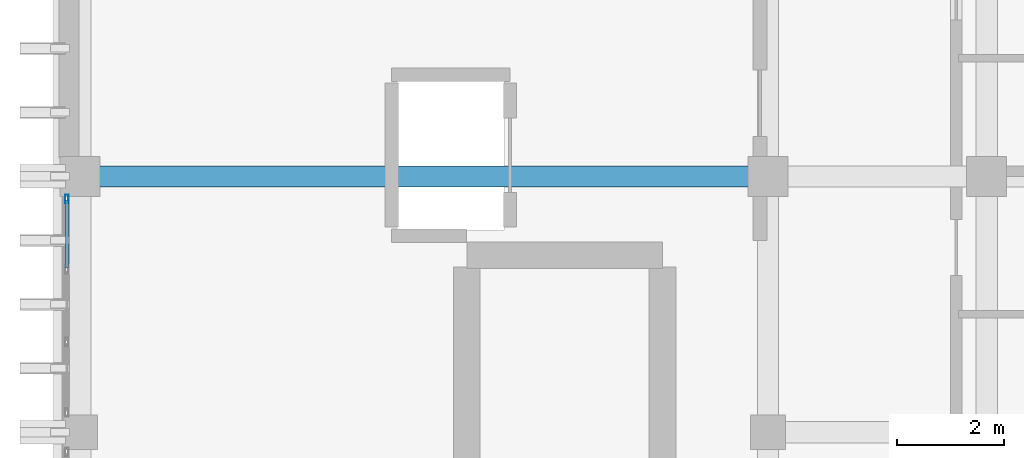
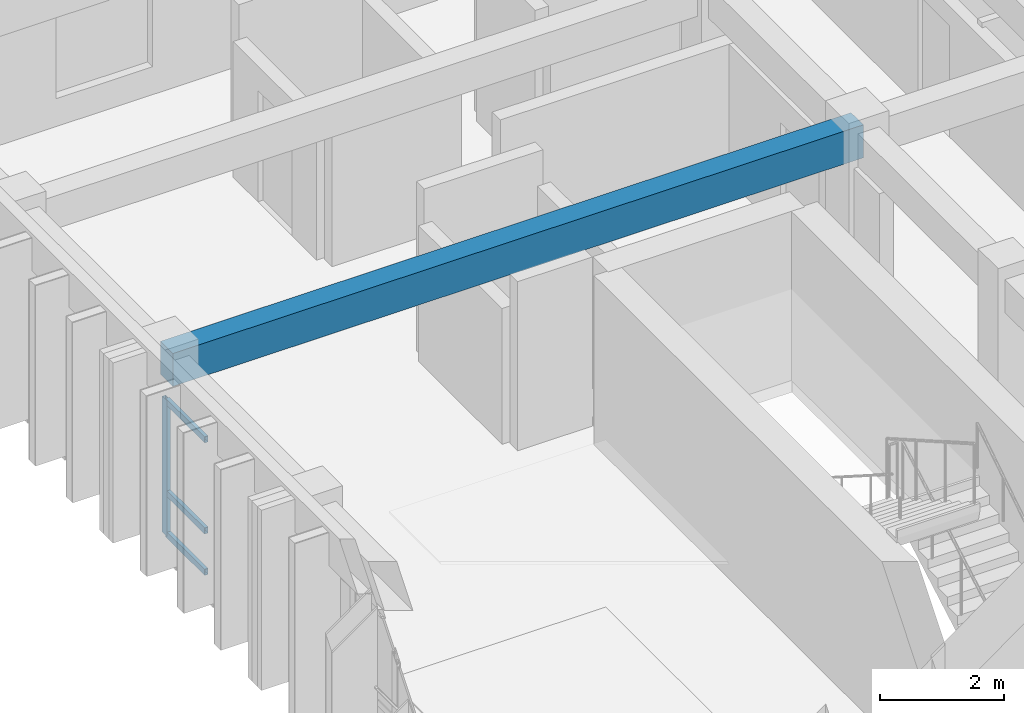
# One storey, part 41 of 64: 4 members, 1 beam, 1 element without a shape of its own.
"""IFC4 building model written with IfcOpenShell, lengths in metres."""

from ifc_helpers import new_model, si_unit, direction, frame, origin, origin_2d, place, context, subcontext, project, spatial, rectangle, hollow_rectangle, extrude, material, layer, layer_set, material_profile, profile_set, type_object, element, aggregate, save


model = new_model("IFC4")

# Units and contexts
model_context = context("Model", 3, precision=1e-05, world=origin(), true_north=direction((0.0, 1.0)))
body_context = subcontext(model_context, "Body", "Model", "MODEL_VIEW")
ifc_project = project(units=[si_unit("LENGTHUNIT", "METRE"), si_unit("AREAUNIT", "SQUARE_METRE"), si_unit("VOLUMEUNIT", "CUBIC_METRE"), si_unit("PLANEANGLEUNIT", "RADIAN"), si_unit("MASSUNIT", "GRAM", prefix="KILO")], contexts=[model_context])

# Site, building, storey
site_placement = place(None, origin())
site = spatial("IfcSite", under=ifc_project, at=site_placement, CompositionType="ELEMENT")
building_placement = place(site_placement, origin())
building = spatial("IfcBuilding", under=site, at=building_placement, Name="Nakhvara Creek Congress Hotel", CompositionType="ELEMENT")
storey_placement = place(building_placement, frame((0.0, 0.0, 28.199951171875)))
storey = spatial("IfcBuildingStorey", under=building, at=storey_placement, Name="L06", CompositionType="ELEMENT", Elevation=28.199951171875)

# Beam
ifc_material_1 = material(Name="Concrete C40/50", Category="concrete")
ifc_material_profile_1 = material_profile(ifc_material_1, rectangle(XDim=0.39990234375, YDim=0.64990234375, at=origin_2d()), Name="RC-BM 400x650", Category="LoadBearing")
ifc_profile_set_1 = profile_set([ifc_material_profile_1], Name="Concrete C40/50")
beam_type = type_object("IfcBeamType", Name="BM-RC-400X650", PredefinedType="BEAM", material=ifc_profile_set_1)
beam_placement = place(storey_placement, frame((149.449951171875, 115.199951171875, 3.01513671875), z_axis=(1.0, 0.0, 0.0), x_axis=(0.0, 1.0, 0.0)))
element("IfcBeam", 1, at=beam_placement, inside=storey, type_object=beam_type, Name="Beam B06-L06-2214", PredefinedType="BEAM", context=body_context, shape_type="SweptSolid", body=[
    extrude(rectangle(XDim=0.39990234375, YDim=0.64990234375, at=origin_2d()), origin(), (0.0, 0.0, 1.0), 12.900146484375),
])

# Curtain wall, members
ifc_material_2 = material(Name="Bronze-anodised aluminium AW-6063-T6 and double-silver low-E glass", Category="aluminium")
ifc_layer = layer(ifc_material_2, 0.199951171875)
ifc_layer_set = layer_set([ifc_layer], Name="Bronze-anodised aluminium AW-6063-T6 and double-silver low-E glass")
curtain_wall_type = type_object("IfcCurtainWallType", Name="CW-HTL-UNIT", PredefinedType="USERDEFINED", material=ifc_layer_set)
curtain_wall_placement = place(storey_placement, origin())
curtain_wall = element("IfcCurtainWall", 2, at=curtain_wall_placement, inside=storey, type_object=curtain_wall_type, Name="Curtain Wall CW250", ObjectType="UNITISED", PredefinedType="USERDEFINED")
ifc_material_3 = material(Name="Bronze-anodised aluminium AW-6063-T6", Category="aluminium")
ifc_material_profile_2 = material_profile(ifc_material_3, hollow_rectangle(XDim=0.06494140625, YDim=0.159912109375, WallThickness=0.00390625, at=origin_2d()), Name="ALU-MULL 65x160x4", Category="LoadBearing")
ifc_profile_set_2 = profile_set([ifc_material_profile_2], Name="Bronze-anodised aluminium AW-6063-T6")
member_type_1 = type_object("IfcMemberType", Name="CW-MULL-160", PredefinedType="MULLION", material=ifc_profile_set_2)
member_1_placement = place(storey_placement, frame((149.199951171875, 114.777587890625, 0.0), z_axis=(0.0, 0.0, 1.0), x_axis=(-1.0, 0.0, 0.0)))
member_1 = element("IfcMember", 3, at=member_1_placement, type_object=member_type_1, Name="CW250 mullion 4", PredefinedType="MULLION", context=body_context, shape_type="SweptSolid", body=[
    extrude(hollow_rectangle(XDim=0.06494140625, YDim=0.159912109375, WallThickness=0.00390625, at=origin_2d()), origin(), (0.0, 0.0, 1.0), 2.68212890625),
])
ifc_material_profile_3 = material_profile(ifc_material_3, hollow_rectangle(XDim=0.06494140625, YDim=0.1201171875, WallThickness=0.00390625, at=origin_2d()), Name="ALU-TRAN 65x120x4", Category="LoadBearing")
ifc_profile_set_3 = profile_set([ifc_material_profile_3], Name="Bronze-anodised aluminium AW-6063-T6")
member_type_2 = type_object("IfcMemberType", Name="CW-TRAN-120", PredefinedType="USERDEFINED", material=ifc_profile_set_3)
member_2_placement = place(storey_placement, frame((149.199951171875, 113.48583984375, 0.032470703125), z_axis=(0.0, 1.0, 0.0), x_axis=(-1.0, 0.0, 0.0)))
member_2 = element("IfcMember", 4, at=member_2_placement, type_object=member_type_2, Name="CW250 transom 3.1", ObjectType="TRANSOM", PredefinedType="USERDEFINED", context=body_context, shape_type="SweptSolid", body=[
    extrude(hollow_rectangle(XDim=0.06494140625, YDim=0.1201171875, WallThickness=0.00390625, at=origin_2d()), origin(), (0.0, 0.0, 1.0), 1.25927734375),
])
member_3_placement = place(storey_placement, frame((149.199951171875, 113.48583984375, 0.85009765625), z_axis=(0.0, 1.0, 0.0), x_axis=(-1.0, 0.0, 0.0)))
member_3 = element("IfcMember", 5, at=member_3_placement, type_object=member_type_2, Name="CW250 transom 3.2", ObjectType="TRANSOM", PredefinedType="USERDEFINED", context=body_context, shape_type="SweptSolid", body=[
    extrude(hollow_rectangle(XDim=0.06494140625, YDim=0.1201171875, WallThickness=0.00390625, at=origin_2d()), origin(), (0.0, 0.0, 1.0), 1.25927734375),
])
member_4_placement = place(storey_placement, frame((149.199951171875, 113.48583984375, 2.649658203125), z_axis=(0.0, 1.0, 0.0), x_axis=(-1.0, 0.0, 0.0)))
member_4 = element("IfcMember", 6, at=member_4_placement, type_object=member_type_2, Name="CW250 transom 3.3", ObjectType="TRANSOM", PredefinedType="USERDEFINED", context=body_context, shape_type="SweptSolid", body=[
    extrude(hollow_rectangle(XDim=0.06494140625, YDim=0.1201171875, WallThickness=0.00390625, at=origin_2d()), origin(), (0.0, 0.0, 1.0), 1.25927734375),
])
aggregate(curtain_wall, [member_1, member_2, member_3, member_4])

save(model, "model.ifc")
